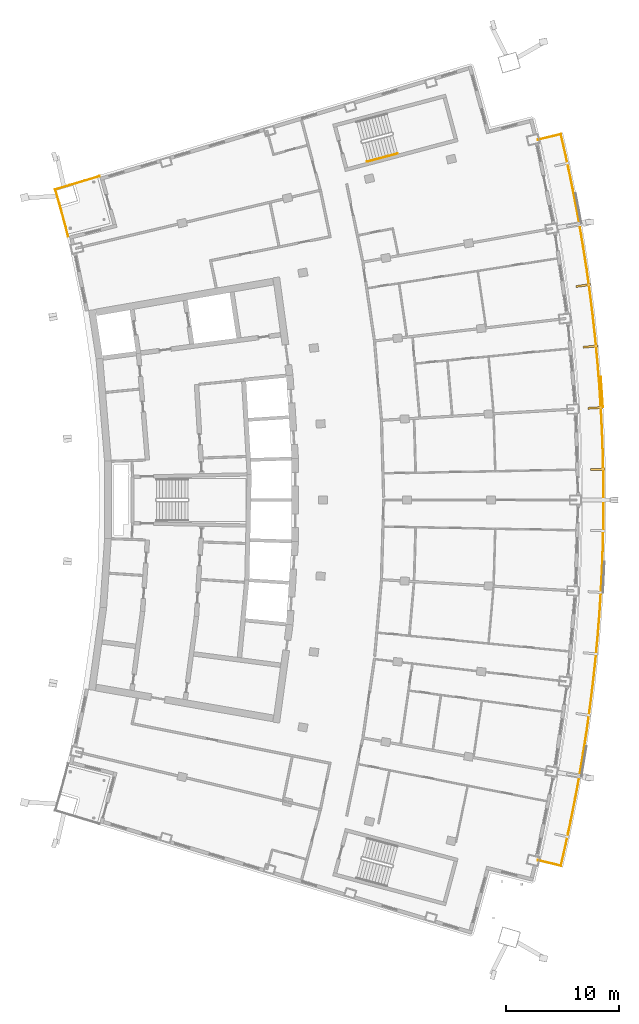
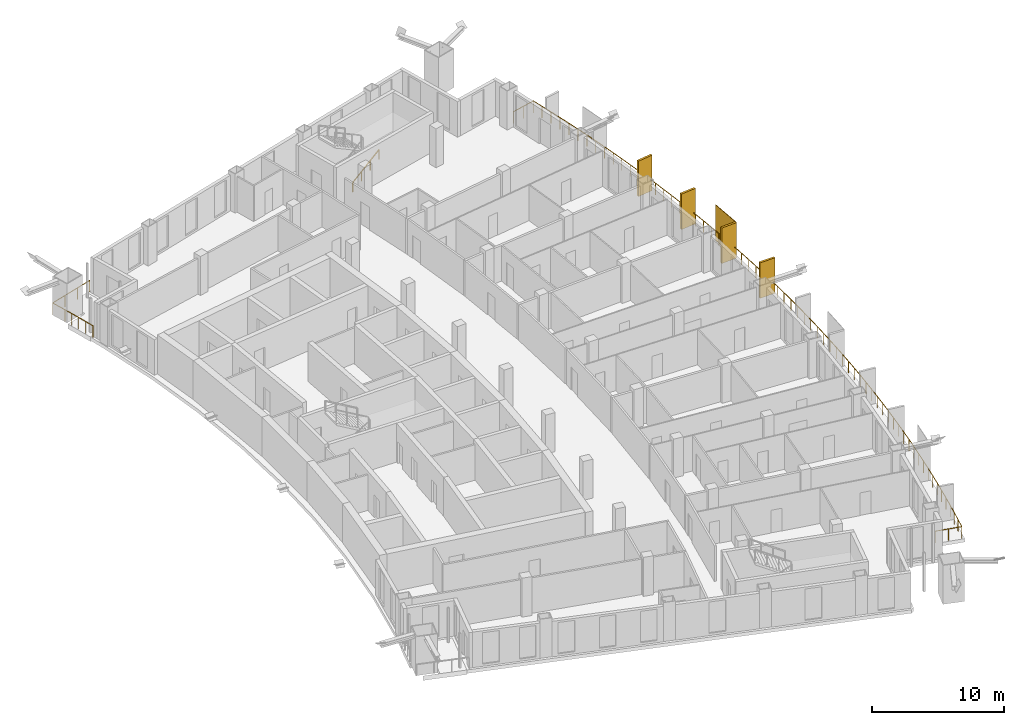
# One storey, part 20 of 21: 5 shading devices, 3 railings.
"""IFC4 building model written with IfcOpenShell, lengths in metres."""

import ifcopenshell
import ifcopenshell.guid

model = None  # the IFC model being written
_history = None  # IfcOwnerHistory: only IFC2X3 demands one
_inside = {}  # id of a spatial element -> (the spatial element, [elements in it])
_under = {}  # id of a project, library or spatial element -> (it, [spatial elements below it])
_declared = {}  # id of a project -> (the project, [libraries it declares])
_typed = {}  # id of a type object -> (the type object, [elements of that type])
_made_of = {}  # id of a material, layer set ... -> (it, [elements and type objects made of it])


def new_model(schema):
    """Start an empty IFC model of exactly this schema.

    Asked for "IFC4X3", IfcOpenShell would pick the latest addendum, in which some entities
    have other attributes; the version numbers below select the first issue.
    IFC2X3 requires an IfcOwnerHistory on every rooted entity: one is made here for all.
    """
    global model, _history
    if schema == "IFC4X3":
        model = ifcopenshell.file(schema_version=(4, 3, 0, 0))
    else:
        model = ifcopenshell.file(schema=schema)
    _inside.clear()
    _under.clear()
    _declared.clear()
    _typed.clear()
    _made_of.clear()
    _history = None
    if model.schema == "IFC2X3":
        org = make("IfcOrganization", Name="unknown")
        user = make(
            "IfcPersonAndOrganization",
            ThePerson=make("IfcPerson", FamilyName="unknown"),
            TheOrganization=org,
        )
        app = make(
            "IfcApplication",
            ApplicationDeveloper=org,
            Version="unknown",
            ApplicationFullName="unknown",
            ApplicationIdentifier="unknown",
        )
        _history = make(
            "IfcOwnerHistory",
            OwningUser=user,
            OwningApplication=app,
            ChangeAction="ADDED",
            CreationDate=0,
        )
    return model


def make(cls, **values):
    """One entity of the class cls with the attributes given. An attribute that is None is left unset."""
    return model.create_entity(
        cls, **{name: value for name, value in values.items() if value is not None}
    )


def rooted(cls, **values):
    """An entity with a GlobalId (a new one), such as an element, a storey or a relation."""
    return make(cls, GlobalId=ifcopenshell.guid.new(), OwnerHistory=_history, **values)


def si_unit(unit_type, name, prefix=None):
    """IfcSIUnit, for example si_unit("LENGTHUNIT", "METRE", prefix="MILLI")."""
    return make("IfcSIUnit", UnitType=unit_type, Prefix=prefix, Name=name)


def assignment(units):
    """IfcUnitAssignment: the units of a project."""
    return None if units is None else make("IfcUnitAssignment", Units=units)


def point(xyz):
    """IfcCartesianPoint."""
    return None if xyz is None else make("IfcCartesianPoint", Coordinates=xyz)


def direction(xyz):
    """IfcDirection."""
    return None if xyz is None else make("IfcDirection", DirectionRatios=xyz)


def frame(location, z_axis=None, x_axis=None):
    """IfcAxis2Placement3D, a coordinate frame: its origin and axes. An axis left out is left unset."""
    return make(
        "IfcAxis2Placement3D",
        Location=point(location),
        Axis=direction(z_axis),
        RefDirection=direction(x_axis),
    )


def frame_2d(location, x_axis=None):
    """IfcAxis2Placement2D, a coordinate frame in the plane: its origin and x axis."""
    return make(
        "IfcAxis2Placement2D", Location=point(location), RefDirection=direction(x_axis)
    )


def origin():
    """The frame at (0, 0, 0) with its axes left unset."""
    return frame((0.0, 0.0, 0.0))


def origin_2d():
    """The frame at (0, 0) in the plane with its x axis left unset."""
    return frame_2d((0.0, 0.0))


def place(relative_to, where):
    """IfcLocalPlacement: puts the frame where relative to a parent placement (None: the world)."""
    return make(
        "IfcLocalPlacement", PlacementRelTo=relative_to, RelativePlacement=where
    )


def context(
    kind, dimensions, precision=None, world=None, true_north=None, identifier=None
):
    """IfcGeometricRepresentationContext, for example the 3D "Model" context."""
    return make(
        "IfcGeometricRepresentationContext",
        ContextIdentifier=identifier,
        ContextType=kind,
        CoordinateSpaceDimension=dimensions,
        Precision=precision,
        WorldCoordinateSystem=world,
        TrueNorth=true_north,
    )


def subcontext(parent, identifier, kind, view, scale=None):
    """IfcGeometricRepresentationSubContext, for example "Body" below "Model"."""
    return make(
        "IfcGeometricRepresentationSubContext",
        ContextIdentifier=identifier,
        ContextType=kind,
        ParentContext=parent,
        TargetScale=scale,
        TargetView=view,
    )


def project(units=None, contexts=None):
    """IfcProject with its units and contexts."""
    return rooted(
        "IfcProject",
        Name="project",
        RepresentationContexts=contexts,
        UnitsInContext=assignment(units),
    )


def spatial(cls, under=None, at=None, **own):
    """A site, building, storey or space (cls), placed at a placement, below another one or the project."""
    s = rooted(cls, ObjectPlacement=at, **own)
    if under is not None:
        _under.setdefault(under.id(), (under, []))[1].append(s)
    return s


def profile(cls, at=None, kind="AREA", **sizes):
    """A parametric profile (cls). Its sizes go by their IFC names, for example OverallWidth=200.0."""
    return make(cls, ProfileType=kind, Position=at, **sizes)


def rectangle(**sizes):
    """IfcRectangleProfileDef."""
    return profile("IfcRectangleProfileDef", **sizes)


def extrude(swept, where, along, depth):
    """IfcExtrudedAreaSolid: the profile swept, set in the frame where, extruded along a direction by depth."""
    return make(
        "IfcExtrudedAreaSolid",
        SweptArea=swept,
        Position=where,
        ExtrudedDirection=direction(along),
        Depth=depth,
    )


def shape(context_of_items, identifier, shape_type, items):
    """IfcShapeRepresentation: the items that make up one representation, for example the "Body"."""
    return make(
        "IfcShapeRepresentation",
        ContextOfItems=context_of_items,
        RepresentationIdentifier=identifier,
        RepresentationType=shape_type,
        Items=items,
    )


def material(Name=None, Category=None):
    """IfcMaterial."""
    return make("IfcMaterial", Name=Name, Category=Category)


def layer(
    of_material, thickness, ventilated=None, Name=None, Category=None, Priority=None
):
    """IfcMaterialLayer: one layer of a wall or slab, of a material (None: an air gap)."""
    return make(
        "IfcMaterialLayer",
        Material=of_material,
        LayerThickness=thickness,
        IsVentilated=ventilated,
        Name=Name,
        Category=Category,
        Priority=Priority,
    )


def layer_set(layers, Name=None):
    """IfcMaterialLayerSet."""
    return make("IfcMaterialLayerSet", MaterialLayers=layers, LayerSetName=Name)


def made_of(thing, what):
    """Note that an element or type object is made of a material, layer set ...; save() writes the relation."""
    if what is not None:
        _made_of.setdefault(what.id(), (what, []))[1].append(thing)
    return thing


def type_object(cls, material=None, **own):
    """A type object (cls), such as IfcWallType, which elements share."""
    return made_of(rooted(cls, **own), material)


def element(
    cls,
    number,
    at=None,
    inside=None,
    cuts=None,
    type_object=None,
    material=None,
    context=None,
    identifier="Body",
    shape_type=None,
    held_by="IfcProductDefinitionShape",
    body=None,
    shapes=None,
    **own,
):
    """One element of the class cls, such as IfcWall. Its Tag is "e" and its number.

    at: its placement. inside: the storey or other place that contains it. cuts: it is an
    opening in that element (IfcRelVoidsElement). A single representation is given by context,
    identifier, shape_type and body (its items); several are given by shapes. held_by: the class
    of the entity that holds the representations. save() writes the other relations.
    """
    e = rooted(cls, Tag="e%d" % number, ObjectPlacement=at, **own)
    if body is not None:
        shapes = [shape(context, identifier, shape_type, body)]
    if shapes is not None:
        e.Representation = make(held_by, Representations=shapes)
    if inside is not None:
        _inside.setdefault(inside.id(), (inside, []))[1].append(e)
    if cuts is not None:
        rooted(
            "IfcRelVoidsElement", RelatingBuildingElement=cuts, RelatedOpeningElement=e
        )
    if type_object is not None:
        _typed.setdefault(type_object.id(), (type_object, []))[1].append(e)
    return made_of(e, material)


def aggregate(whole, parts):
    """IfcRelAggregates: a whole, such as a stair, and the parts it consists of."""
    return rooted("IfcRelAggregates", RelatingObject=whole, RelatedObjects=parts)


def save(model, path):
    """Write the relations noted so far, then the file.

    IfcRelAggregates (storeys below a building ...), IfcRelContainedInSpatialStructure (elements
    in a storey), IfcRelDefinesByType, IfcRelAssociatesMaterial and IfcRelDeclares: one each for
    every whole, place, type object, material and project.
    """
    for whole, parts in _under.values():
        aggregate(whole, parts)
    for where, things in _inside.values():
        rooted(
            "IfcRelContainedInSpatialStructure",
            RelatedElements=things,
            RelatingStructure=where,
        )
    for kind, things in _typed.values():
        rooted("IfcRelDefinesByType", RelatedObjects=things, RelatingType=kind)
    for what, things in _made_of.values():
        rooted("IfcRelAssociatesMaterial", RelatedObjects=things, RelatingMaterial=what)
    for by, libraries in _declared.values():
        rooted("IfcRelDeclares", RelatingContext=by, RelatedDefinitions=libraries)
    model.write(path)


model = new_model("IFC4")

# Units and contexts
model_context = context("Model", 3, precision=1e-05, world=origin(), true_north=direction((0.0, 1.0)))
body_context = subcontext(model_context, "Body", "Model", "MODEL_VIEW")
ifc_project = project(units=[si_unit("LENGTHUNIT", "METRE"), si_unit("AREAUNIT", "SQUARE_METRE"), si_unit("VOLUMEUNIT", "CUBIC_METRE"), si_unit("PLANEANGLEUNIT", "RADIAN"), si_unit("MASSUNIT", "GRAM", prefix="KILO")], contexts=[model_context])

# Site, building, storey
site_placement = place(None, origin())
site = spatial("IfcSite", under=ifc_project, at=site_placement, CompositionType="ELEMENT")
building_placement = place(site_placement, origin())
building = spatial("IfcBuilding", under=site, at=building_placement, Name="Alderwake Tower", CompositionType="ELEMENT")
storey_placement = place(building_placement, frame((0.0, 0.0, 207.199951171875)))
storey = spatial("IfcBuildingStorey", under=building, at=storey_placement, Name="L51", CompositionType="ELEMENT", Elevation=207.199951171875)

# Railings
ifc_material_1 = material(Name="Stainless steel 316 rail and posts", Category="steel")
railing_type_1 = type_object("IfcRailingType", Name="Balcony guard 1100", PredefinedType="GUARDRAIL", material=ifc_material_1)
railing_1_placement = place(storey_placement, frame((54.86669921875, 29.048583984375, 0.0)))
element("IfcRailing", 1, at=railing_1_placement, inside=storey, type_object=railing_type_1, Name="Guard BF03", PredefinedType="GUARDRAIL", context=body_context, shape_type="SweptSolid", body=[
    extrude(rectangle(XDim=0.048095703125, YDim=0.048095703125, at=origin_2d()), frame((0.0, 0.0, 1.076171875), z_axis=(0.973069996158, -0.230509831846, 0.0), x_axis=(0.230509831846, 0.973069996158, 0.0)), (0.0, 0.0, 1.0), 2.100341796875),
    extrude(rectangle(XDim=0.048095703125, YDim=0.048095703125, at=origin_2d()), frame((2.043701171875, -0.484130859375, 1.076171875), z_axis=(0.223653450953, 0.974668730327, 0.0), x_axis=(-0.974668730327, 0.223653450953, 0.0)), (0.0, 0.0, 1.0), 1.951904296875),
    extrude(rectangle(XDim=0.048095703125, YDim=0.048095703125, at=origin_2d()), frame((2.480224609375, 1.418212890625, 1.076171875), z_axis=(0.209894744365, 0.977723987784, 0.0), x_axis=(-0.977723987784, 0.209894744365, 0.0)), (0.0, 0.0, 1.0), 2.0517578125),
    extrude(rectangle(XDim=0.048095703125, YDim=0.048095703125, at=origin_2d()), frame((2.910888671875, 3.42431640625, 1.076171875), z_axis=(0.195727136621, 0.980658395156, 0.0), x_axis=(-0.980658395156, 0.195727136621, 0.0)), (0.0, 0.0, 1.0), 2.052001953125),
    extrude(rectangle(XDim=0.048095703125, YDim=0.048095703125, at=origin_2d()), frame((3.3125, 5.4365234375, 1.076171875), z_axis=(0.18121997098, 0.983442587098, 0.0), x_axis=(-0.983442587098, 0.18121997098, 0.0)), (0.0, 0.0, 1.0), 2.0517578125),
    extrude(rectangle(XDim=0.048095703125, YDim=0.048095703125, at=origin_2d()), frame((3.684326171875, 7.454345703125, 1.076171875), z_axis=(0.166925923017, 0.985969439803, 0.0), x_axis=(-0.985969439803, 0.166925923017, 0.0)), (0.0, 0.0, 1.0), 2.052001953125),
    extrude(rectangle(XDim=0.048095703125, YDim=0.048095703125, at=origin_2d()), frame((4.02685546875, 9.4775390625, 1.076171875), z_axis=(0.152539987711, 0.988297299475, 0.0), x_axis=(-0.988297299475, 0.152539987711, 0.0)), (0.0, 0.0, 1.0), 2.0517578125),
    extrude(rectangle(XDim=0.048095703125, YDim=0.048095703125, at=origin_2d()), frame((4.33984375, 11.50537109375, 1.076171875), z_axis=(0.138139033555, 0.990412846952, 0.0), x_axis=(-0.990412846952, 0.138139033555, 0.0)), (0.0, 0.0, 1.0), 2.052001953125),
    extrude(rectangle(XDim=0.048095703125, YDim=0.048095703125, at=origin_2d()), frame((4.623291015625, 13.53759765625, 1.076171875), z_axis=(0.123507517364, 0.992343636627, 0.0), x_axis=(-0.992343636627, 0.123507517364, 0.0)), (0.0, 0.0, 1.0), 2.0517578125),
    extrude(rectangle(XDim=0.048095703125, YDim=0.048095703125, at=origin_2d()), frame((4.876708984375, 15.57373046875, 1.076171875), z_axis=(0.109229967975, 0.994016505948, 0.0), x_axis=(-0.994016505948, 0.109229967975, 0.0)), (0.0, 0.0, 1.0), 2.0517578125),
    extrude(rectangle(XDim=0.048095703125, YDim=0.048095703125, at=origin_2d()), frame((5.100830078125, 17.61328125, 1.076171875), z_axis=(0.094590111319, 0.995516303654, 0.0), x_axis=(-0.995516303654, 0.094590111319, 0.0)), (0.0, 0.0, 1.0), 2.052001953125),
    extrude(rectangle(XDim=0.048095703125, YDim=0.048095703125, at=origin_2d()), frame((5.294921875, 19.656005859375, 1.076171875), z_axis=(0.080199229738, 0.996778853884, 0.0), x_axis=(-0.996778853884, 0.080199229738, 0.0)), (0.0, 0.0, 1.0), 2.0517578125),
    extrude(rectangle(XDim=0.048095703125, YDim=0.048095703125, at=origin_2d()), frame((5.45947265625, 21.701171875, 1.076171875), z_axis=(0.065563376145, 0.997848407178, 0.0), x_axis=(-0.997848407178, 0.065563376145, 0.0)), (0.0, 0.0, 1.0), 2.0517578125),
    extrude(rectangle(XDim=0.048095703125, YDim=0.048095703125, at=origin_2d()), frame((5.593994140625, 23.74853515625, 1.076171875), z_axis=(0.051047382786, 0.99869623245, 0.0), x_axis=(-0.99869623245, 0.051047382786, 0.0)), (0.0, 0.0, 1.0), 2.0517578125),
    extrude(rectangle(XDim=0.048095703125, YDim=0.048095703125, at=origin_2d()), frame((5.69873046875, 25.797607421875, 1.076171875), z_axis=(0.036408752989, 0.999336981556, 0.0), x_axis=(-0.999336981556, 0.036408752989, 0.0)), (0.0, 0.0, 1.0), 2.052001953125),
    extrude(rectangle(XDim=0.048095703125, YDim=0.048095703125, at=origin_2d()), frame((5.7734375, 27.84814453125, 1.076171875), z_axis=(0.021891693926, 0.999760348152, 0.0), x_axis=(-0.999760348152, 0.021891693926, 0.0)), (0.0, 0.0, 1.0), 2.052001953125),
    extrude(rectangle(XDim=0.048095703125, YDim=0.048095703125, at=origin_2d()), frame((5.818359375, 29.899658203125, 1.076171875), z_axis=(0.00725825716, 0.999973658505, 0.0), x_axis=(-0.999973658505, 0.00725825716, 0.0)), (0.0, 0.0, 1.0), 2.0517578125),
    extrude(rectangle(XDim=0.048095703125, YDim=0.048095703125, at=origin_2d()), frame((5.833251953125, 31.951416015625, 1.076171875), z_axis=(-0.00725825716, 0.999973658505, 0.0), x_axis=(-0.999973658505, -0.00725825716, 0.0)), (0.0, 0.0, 1.0), 2.0517578125),
    extrude(rectangle(XDim=0.048095703125, YDim=0.048095703125, at=origin_2d()), frame((5.818359375, 34.003173828125, 1.076171875), z_axis=(-0.021891693926, 0.999760348152, 0.0), x_axis=(-0.999760348152, -0.021891693926, 0.0)), (0.0, 0.0, 1.0), 2.052001953125),
    extrude(rectangle(XDim=0.048095703125, YDim=0.048095703125, at=origin_2d()), frame((5.7734375, 36.0546875, 1.076171875), z_axis=(-0.036408752989, 0.999336981556, 0.0), x_axis=(-0.999336981556, -0.036408752989, 0.0)), (0.0, 0.0, 1.0), 2.052001953125),
    extrude(rectangle(XDim=0.048095703125, YDim=0.048095703125, at=origin_2d()), frame((5.69873046875, 38.105224609375, 1.076171875), z_axis=(-0.051047382786, 0.99869623245, 0.0), x_axis=(-0.99869623245, -0.051047382786, 0.0)), (0.0, 0.0, 1.0), 2.0517578125),
    extrude(rectangle(XDim=0.048095703125, YDim=0.048095703125, at=origin_2d()), frame((5.593994140625, 40.154296875, 1.076171875), z_axis=(-0.065563376145, 0.997848407178, 0.0), x_axis=(-0.997848407178, -0.065563376145, 0.0)), (0.0, 0.0, 1.0), 2.0517578125),
    extrude(rectangle(XDim=0.048095703125, YDim=0.048095703125, at=origin_2d()), frame((5.45947265625, 42.20166015625, 1.076171875), z_axis=(-0.080199229738, 0.996778853884, 0.0), x_axis=(-0.996778853884, -0.080199229738, 0.0)), (0.0, 0.0, 1.0), 2.0517578125),
    extrude(rectangle(XDim=0.048095703125, YDim=0.048095703125, at=origin_2d()), frame((5.294921875, 44.246826171875, 1.076171875), z_axis=(-0.094590111319, 0.995516303654, 0.0), x_axis=(-0.995516303654, -0.094590111319, 0.0)), (0.0, 0.0, 1.0), 2.052001953125),
    extrude(rectangle(XDim=0.048095703125, YDim=0.048095703125, at=origin_2d()), frame((5.100830078125, 46.28955078125, 1.076171875), z_axis=(-0.109229967975, 0.994016505948, 0.0), x_axis=(-0.994016505948, -0.109229967975, 0.0)), (0.0, 0.0, 1.0), 2.0517578125),
    extrude(rectangle(XDim=0.048095703125, YDim=0.048095703125, at=origin_2d()), frame((4.876708984375, 48.3291015625, 1.076171875), z_axis=(-0.123507517364, 0.992343636627, 0.0), x_axis=(-0.992343636627, -0.123507517364, 0.0)), (0.0, 0.0, 1.0), 2.0517578125),
    extrude(rectangle(XDim=0.048095703125, YDim=0.048095703125, at=origin_2d()), frame((4.623291015625, 50.365234375, 1.076171875), z_axis=(-0.138139033555, 0.990412846952, 0.0), x_axis=(-0.990412846952, -0.138139033555, 0.0)), (0.0, 0.0, 1.0), 2.052001953125),
    extrude(rectangle(XDim=0.048095703125, YDim=0.048095703125, at=origin_2d()), frame((4.33984375, 52.3974609375, 1.076171875), z_axis=(-0.152539987711, 0.988297299475, 0.0), x_axis=(-0.988297299475, -0.152539987711, 0.0)), (0.0, 0.0, 1.0), 2.0517578125),
    extrude(rectangle(XDim=0.048095703125, YDim=0.048095703125, at=origin_2d()), frame((4.02685546875, 54.42529296875, 1.076171875), z_axis=(-0.166925923017, 0.985969439803, 0.0), x_axis=(-0.985969439803, -0.166925923017, 0.0)), (0.0, 0.0, 1.0), 2.052001953125),
    extrude(rectangle(XDim=0.048095703125, YDim=0.048095703125, at=origin_2d()), frame((3.684326171875, 56.448486328125, 1.076171875), z_axis=(-0.18121997098, 0.983442587098, 0.0), x_axis=(-0.983442587098, -0.18121997098, 0.0)), (0.0, 0.0, 1.0), 2.0517578125),
    extrude(rectangle(XDim=0.048095703125, YDim=0.048095703125, at=origin_2d()), frame((3.3125, 58.46630859375, 1.076171875), z_axis=(-0.195727136621, 0.980658395156, 0.0), x_axis=(-0.980658395156, -0.195727136621, 0.0)), (0.0, 0.0, 1.0), 2.052001953125),
    extrude(rectangle(XDim=0.048095703125, YDim=0.048095703125, at=origin_2d()), frame((2.910888671875, 60.478515625, 1.076171875), z_axis=(-0.209894744365, 0.977723987784, 0.0), x_axis=(-0.977723987784, -0.209894744365, 0.0)), (0.0, 0.0, 1.0), 2.0517578125),
    extrude(rectangle(XDim=0.048095703125, YDim=0.048095703125, at=origin_2d()), frame((2.480224609375, 62.484619140625, 1.076171875), z_axis=(-0.223653450953, 0.974668730327, 0.0), x_axis=(-0.974668730327, -0.223653450953, 0.0)), (0.0, 0.0, 1.0), 1.951904296875),
    extrude(rectangle(XDim=0.048095703125, YDim=0.048095703125, at=origin_2d()), frame((2.043701171875, 64.386962890625, 1.076171875), z_axis=(-0.973069996158, -0.230509831846, 0.0), x_axis=(0.230509831846, -0.973069996158, 0.0)), (0.0, 0.0, 1.0), 2.100341796875),
    extrude(rectangle(XDim=0.0419921875, YDim=0.0419921875, at=origin_2d()), frame((0.0, 0.0, 0.0), z_axis=(0.0, 0.0, 1.0), x_axis=(0.973069996158, -0.230509831846, 0.0)), (0.0, 0.0, 1.0), 1.052001953125),
    extrude(rectangle(XDim=0.0419921875, YDim=0.0419921875, at=origin_2d()), frame((1.02197265625, -0.2421875, 0.0), z_axis=(0.0, 0.0, 1.0), x_axis=(0.973069996158, -0.230509831846, 0.0)), (0.0, 0.0, 1.0), 1.052001953125),
    extrude(rectangle(XDim=0.0419921875, YDim=0.0419921875, at=origin_2d()), frame((2.043701171875, -0.484130859375, 0.0), z_axis=(0.0, 0.0, 1.0), x_axis=(0.223653450953, 0.974668730327, 0.0)), (0.0, 0.0, 1.0), 1.052001953125),
    extrude(rectangle(XDim=0.0419921875, YDim=0.0419921875, at=origin_2d()), frame((2.261962890625, 0.467041015625, 0.0), z_axis=(0.0, 0.0, 1.0), x_axis=(0.223653450953, 0.974668730327, 0.0)), (0.0, 0.0, 1.0), 1.052001953125),
    extrude(rectangle(XDim=0.0419921875, YDim=0.0419921875, at=origin_2d()), frame((2.480224609375, 1.418212890625, 0.0), z_axis=(0.0, 0.0, 1.0), x_axis=(0.209894744365, 0.977723987784, 0.0)), (0.0, 0.0, 1.0), 1.052001953125),
    extrude(rectangle(XDim=0.0419921875, YDim=0.0419921875, at=origin_2d()), frame((2.695556640625, 2.42138671875, 0.0), z_axis=(0.0, 0.0, 1.0), x_axis=(0.209894744365, 0.977723987784, 0.0)), (0.0, 0.0, 1.0), 1.052001953125),
    extrude(rectangle(XDim=0.0419921875, YDim=0.0419921875, at=origin_2d()), frame((2.910888671875, 3.42431640625, 0.0), z_axis=(0.0, 0.0, 1.0), x_axis=(0.195727136621, 0.980658395156, 0.0)), (0.0, 0.0, 1.0), 1.052001953125),
    extrude(rectangle(XDim=0.0419921875, YDim=0.0419921875, at=origin_2d()), frame((3.11181640625, 4.430419921875, 0.0), z_axis=(0.0, 0.0, 1.0), x_axis=(0.195727136621, 0.980658395156, 0.0)), (0.0, 0.0, 1.0), 1.052001953125),
    extrude(rectangle(XDim=0.0419921875, YDim=0.0419921875, at=origin_2d()), frame((3.3125, 5.4365234375, 0.0), z_axis=(0.0, 0.0, 1.0), x_axis=(0.18121997098, 0.983442587098, 0.0)), (0.0, 0.0, 1.0), 1.052001953125),
    extrude(rectangle(XDim=0.0419921875, YDim=0.0419921875, at=origin_2d()), frame((3.49853515625, 6.4453125, 0.0), z_axis=(0.0, 0.0, 1.0), x_axis=(0.18121997098, 0.983442587098, 0.0)), (0.0, 0.0, 1.0), 1.052001953125),
    extrude(rectangle(XDim=0.0419921875, YDim=0.0419921875, at=origin_2d()), frame((3.684326171875, 7.454345703125, 0.0), z_axis=(0.0, 0.0, 1.0), x_axis=(0.166925923017, 0.985969439803, 0.0)), (0.0, 0.0, 1.0), 1.052001953125),
    extrude(rectangle(XDim=0.0419921875, YDim=0.0419921875, at=origin_2d()), frame((3.85546875, 8.4658203125, 0.0), z_axis=(0.0, 0.0, 1.0), x_axis=(0.166925923017, 0.985969439803, 0.0)), (0.0, 0.0, 1.0), 1.052001953125),
    extrude(rectangle(XDim=0.0419921875, YDim=0.0419921875, at=origin_2d()), frame((4.02685546875, 9.4775390625, 0.0), z_axis=(0.0, 0.0, 1.0), x_axis=(0.152539987711, 0.988297299475, 0.0)), (0.0, 0.0, 1.0), 1.052001953125),
    extrude(rectangle(XDim=0.0419921875, YDim=0.0419921875, at=origin_2d()), frame((4.183349609375, 10.491455078125, 0.0), z_axis=(0.0, 0.0, 1.0), x_axis=(0.152539987711, 0.988297299475, 0.0)), (0.0, 0.0, 1.0), 1.052001953125),
    extrude(rectangle(XDim=0.0419921875, YDim=0.0419921875, at=origin_2d()), frame((4.33984375, 11.50537109375, 0.0), z_axis=(0.0, 0.0, 1.0), x_axis=(0.138139033555, 0.990412846952, 0.0)), (0.0, 0.0, 1.0), 1.052001953125),
    extrude(rectangle(XDim=0.0419921875, YDim=0.0419921875, at=origin_2d()), frame((4.4814453125, 12.521484375, 0.0), z_axis=(0.0, 0.0, 1.0), x_axis=(0.138139033555, 0.990412846952, 0.0)), (0.0, 0.0, 1.0), 1.052001953125),
    extrude(rectangle(XDim=0.0419921875, YDim=0.0419921875, at=origin_2d()), frame((4.623291015625, 13.53759765625, 0.0), z_axis=(0.0, 0.0, 1.0), x_axis=(0.123507517364, 0.992343636627, 0.0)), (0.0, 0.0, 1.0), 1.052001953125),
    extrude(rectangle(XDim=0.0419921875, YDim=0.0419921875, at=origin_2d()), frame((4.75, 14.5556640625, 0.0), z_axis=(0.0, 0.0, 1.0), x_axis=(0.123507517364, 0.992343636627, 0.0)), (0.0, 0.0, 1.0), 1.052001953125),
    extrude(rectangle(XDim=0.0419921875, YDim=0.0419921875, at=origin_2d()), frame((4.876708984375, 15.57373046875, 0.0), z_axis=(0.0, 0.0, 1.0), x_axis=(0.109229967975, 0.994016505948, 0.0)), (0.0, 0.0, 1.0), 1.052001953125),
    extrude(rectangle(XDim=0.0419921875, YDim=0.0419921875, at=origin_2d()), frame((4.98876953125, 16.593505859375, 0.0), z_axis=(0.0, 0.0, 1.0), x_axis=(0.109229967975, 0.994016505948, 0.0)), (0.0, 0.0, 1.0), 1.052001953125),
    extrude(rectangle(XDim=0.0419921875, YDim=0.0419921875, at=origin_2d()), frame((5.100830078125, 17.61328125, 0.0), z_axis=(0.0, 0.0, 1.0), x_axis=(0.094590111319, 0.995516303654, 0.0)), (0.0, 0.0, 1.0), 1.052001953125),
    extrude(rectangle(XDim=0.0419921875, YDim=0.0419921875, at=origin_2d()), frame((5.19775390625, 18.634765625, 0.0), z_axis=(0.0, 0.0, 1.0), x_axis=(0.094590111319, 0.995516303654, 0.0)), (0.0, 0.0, 1.0), 1.052001953125),
    extrude(rectangle(XDim=0.0419921875, YDim=0.0419921875, at=origin_2d()), frame((5.294921875, 19.656005859375, 0.0), z_axis=(0.0, 0.0, 1.0), x_axis=(0.080199229738, 0.996778853884, 0.0)), (0.0, 0.0, 1.0), 1.052001953125),
    extrude(rectangle(XDim=0.0419921875, YDim=0.0419921875, at=origin_2d()), frame((5.377197265625, 20.6787109375, 0.0), z_axis=(0.0, 0.0, 1.0), x_axis=(0.080199229738, 0.996778853884, 0.0)), (0.0, 0.0, 1.0), 1.052001953125),
    extrude(rectangle(XDim=0.0419921875, YDim=0.0419921875, at=origin_2d()), frame((5.45947265625, 21.701171875, 0.0), z_axis=(0.0, 0.0, 1.0), x_axis=(0.065563376145, 0.997848407178, 0.0)), (0.0, 0.0, 1.0), 1.052001953125),
    extrude(rectangle(XDim=0.0419921875, YDim=0.0419921875, at=origin_2d()), frame((5.52685546875, 22.724853515625, 0.0), z_axis=(0.0, 0.0, 1.0), x_axis=(0.065563376145, 0.997848407178, 0.0)), (0.0, 0.0, 1.0), 1.052001953125),
    extrude(rectangle(XDim=0.0419921875, YDim=0.0419921875, at=origin_2d()), frame((5.593994140625, 23.74853515625, 0.0), z_axis=(0.0, 0.0, 1.0), x_axis=(0.051047382786, 0.99869623245, 0.0)), (0.0, 0.0, 1.0), 1.052001953125),
    extrude(rectangle(XDim=0.0419921875, YDim=0.0419921875, at=origin_2d()), frame((5.646484375, 24.77294921875, 0.0), z_axis=(0.0, 0.0, 1.0), x_axis=(0.051047382786, 0.99869623245, 0.0)), (0.0, 0.0, 1.0), 1.052001953125),
    extrude(rectangle(XDim=0.0419921875, YDim=0.0419921875, at=origin_2d()), frame((5.69873046875, 25.797607421875, 0.0), z_axis=(0.0, 0.0, 1.0), x_axis=(0.036408752989, 0.999336981556, 0.0)), (0.0, 0.0, 1.0), 1.052001953125),
    extrude(rectangle(XDim=0.0419921875, YDim=0.0419921875, at=origin_2d()), frame((5.736083984375, 26.82275390625, 0.0), z_axis=(0.0, 0.0, 1.0), x_axis=(0.036408752989, 0.999336981556, 0.0)), (0.0, 0.0, 1.0), 1.052001953125),
    extrude(rectangle(XDim=0.0419921875, YDim=0.0419921875, at=origin_2d()), frame((5.7734375, 27.84814453125, 0.0), z_axis=(0.0, 0.0, 1.0), x_axis=(0.021891693926, 0.999760348152, 0.0)), (0.0, 0.0, 1.0), 1.052001953125),
    extrude(rectangle(XDim=0.0419921875, YDim=0.0419921875, at=origin_2d()), frame((5.7958984375, 28.8740234375, 0.0), z_axis=(0.0, 0.0, 1.0), x_axis=(0.021891693926, 0.999760348152, 0.0)), (0.0, 0.0, 1.0), 1.052001953125),
    extrude(rectangle(XDim=0.0419921875, YDim=0.0419921875, at=origin_2d()), frame((5.818359375, 29.899658203125, 0.0), z_axis=(0.0, 0.0, 1.0), x_axis=(0.00725825716, 0.999973658505, 0.0)), (0.0, 0.0, 1.0), 1.052001953125),
    extrude(rectangle(XDim=0.0419921875, YDim=0.0419921875, at=origin_2d()), frame((5.82568359375, 30.925537109375, 0.0), z_axis=(0.0, 0.0, 1.0), x_axis=(0.00725825716, 0.999973658505, 0.0)), (0.0, 0.0, 1.0), 1.052001953125),
    extrude(rectangle(XDim=0.0419921875, YDim=0.0419921875, at=origin_2d()), frame((5.833251953125, 31.951416015625, 0.0), z_axis=(0.0, 0.0, 1.0), x_axis=(-0.00725825716, 0.999973658505, 0.0)), (0.0, 0.0, 1.0), 1.052001953125),
    extrude(rectangle(XDim=0.0419921875, YDim=0.0419921875, at=origin_2d()), frame((5.82568359375, 32.977294921875, 0.0), z_axis=(0.0, 0.0, 1.0), x_axis=(-0.00725825716, 0.999973658505, 0.0)), (0.0, 0.0, 1.0), 1.052001953125),
    extrude(rectangle(XDim=0.0419921875, YDim=0.0419921875, at=origin_2d()), frame((5.818359375, 34.003173828125, 0.0), z_axis=(0.0, 0.0, 1.0), x_axis=(-0.021891693926, 0.999760348152, 0.0)), (0.0, 0.0, 1.0), 1.052001953125),
    extrude(rectangle(XDim=0.0419921875, YDim=0.0419921875, at=origin_2d()), frame((5.7958984375, 35.02880859375, 0.0), z_axis=(0.0, 0.0, 1.0), x_axis=(-0.021891693926, 0.999760348152, 0.0)), (0.0, 0.0, 1.0), 1.052001953125),
    extrude(rectangle(XDim=0.0419921875, YDim=0.0419921875, at=origin_2d()), frame((5.7734375, 36.0546875, 0.0), z_axis=(0.0, 0.0, 1.0), x_axis=(-0.036408752989, 0.999336981556, 0.0)), (0.0, 0.0, 1.0), 1.052001953125),
    extrude(rectangle(XDim=0.0419921875, YDim=0.0419921875, at=origin_2d()), frame((5.736083984375, 37.080078125, 0.0), z_axis=(0.0, 0.0, 1.0), x_axis=(-0.036408752989, 0.999336981556, 0.0)), (0.0, 0.0, 1.0), 1.052001953125),
    extrude(rectangle(XDim=0.0419921875, YDim=0.0419921875, at=origin_2d()), frame((5.69873046875, 38.105224609375, 0.0), z_axis=(0.0, 0.0, 1.0), x_axis=(-0.051047382786, 0.99869623245, 0.0)), (0.0, 0.0, 1.0), 1.052001953125),
    extrude(rectangle(XDim=0.0419921875, YDim=0.0419921875, at=origin_2d()), frame((5.646484375, 39.1298828125, 0.0), z_axis=(0.0, 0.0, 1.0), x_axis=(-0.051047382786, 0.99869623245, 0.0)), (0.0, 0.0, 1.0), 1.052001953125),
    extrude(rectangle(XDim=0.0419921875, YDim=0.0419921875, at=origin_2d()), frame((5.593994140625, 40.154296875, 0.0), z_axis=(0.0, 0.0, 1.0), x_axis=(-0.065563376145, 0.997848407178, 0.0)), (0.0, 0.0, 1.0), 1.052001953125),
    extrude(rectangle(XDim=0.0419921875, YDim=0.0419921875, at=origin_2d()), frame((5.52685546875, 41.177978515625, 0.0), z_axis=(0.0, 0.0, 1.0), x_axis=(-0.065563376145, 0.997848407178, 0.0)), (0.0, 0.0, 1.0), 1.052001953125),
    extrude(rectangle(XDim=0.0419921875, YDim=0.0419921875, at=origin_2d()), frame((5.45947265625, 42.20166015625, 0.0), z_axis=(0.0, 0.0, 1.0), x_axis=(-0.080199229738, 0.996778853884, 0.0)), (0.0, 0.0, 1.0), 1.052001953125),
    extrude(rectangle(XDim=0.0419921875, YDim=0.0419921875, at=origin_2d()), frame((5.377197265625, 43.22412109375, 0.0), z_axis=(0.0, 0.0, 1.0), x_axis=(-0.080199229738, 0.996778853884, 0.0)), (0.0, 0.0, 1.0), 1.052001953125),
    extrude(rectangle(XDim=0.0419921875, YDim=0.0419921875, at=origin_2d()), frame((5.294921875, 44.246826171875, 0.0), z_axis=(0.0, 0.0, 1.0), x_axis=(-0.094590111319, 0.995516303654, 0.0)), (0.0, 0.0, 1.0), 1.052001953125),
    extrude(rectangle(XDim=0.0419921875, YDim=0.0419921875, at=origin_2d()), frame((5.19775390625, 45.26806640625, 0.0), z_axis=(0.0, 0.0, 1.0), x_axis=(-0.094590111319, 0.995516303654, 0.0)), (0.0, 0.0, 1.0), 1.052001953125),
    extrude(rectangle(XDim=0.0419921875, YDim=0.0419921875, at=origin_2d()), frame((5.100830078125, 46.28955078125, 0.0), z_axis=(0.0, 0.0, 1.0), x_axis=(-0.109229967975, 0.994016505948, 0.0)), (0.0, 0.0, 1.0), 1.052001953125),
    extrude(rectangle(XDim=0.0419921875, YDim=0.0419921875, at=origin_2d()), frame((4.98876953125, 47.309326171875, 0.0), z_axis=(0.0, 0.0, 1.0), x_axis=(-0.109229967975, 0.994016505948, 0.0)), (0.0, 0.0, 1.0), 1.052001953125),
    extrude(rectangle(XDim=0.0419921875, YDim=0.0419921875, at=origin_2d()), frame((4.876708984375, 48.3291015625, 0.0), z_axis=(0.0, 0.0, 1.0), x_axis=(-0.123507517364, 0.992343636627, 0.0)), (0.0, 0.0, 1.0), 1.052001953125),
    extrude(rectangle(XDim=0.0419921875, YDim=0.0419921875, at=origin_2d()), frame((4.75, 49.34716796875, 0.0), z_axis=(0.0, 0.0, 1.0), x_axis=(-0.123507517364, 0.992343636627, 0.0)), (0.0, 0.0, 1.0), 1.052001953125),
    extrude(rectangle(XDim=0.0419921875, YDim=0.0419921875, at=origin_2d()), frame((4.623291015625, 50.365234375, 0.0), z_axis=(0.0, 0.0, 1.0), x_axis=(-0.138139033555, 0.990412846952, 0.0)), (0.0, 0.0, 1.0), 1.052001953125),
    extrude(rectangle(XDim=0.0419921875, YDim=0.0419921875, at=origin_2d()), frame((4.4814453125, 51.38134765625, 0.0), z_axis=(0.0, 0.0, 1.0), x_axis=(-0.138139033555, 0.990412846952, 0.0)), (0.0, 0.0, 1.0), 1.052001953125),
    extrude(rectangle(XDim=0.0419921875, YDim=0.0419921875, at=origin_2d()), frame((4.33984375, 52.3974609375, 0.0), z_axis=(0.0, 0.0, 1.0), x_axis=(-0.152539987711, 0.988297299475, 0.0)), (0.0, 0.0, 1.0), 1.052001953125),
    extrude(rectangle(XDim=0.0419921875, YDim=0.0419921875, at=origin_2d()), frame((4.183349609375, 53.411376953125, 0.0), z_axis=(0.0, 0.0, 1.0), x_axis=(-0.152539987711, 0.988297299475, 0.0)), (0.0, 0.0, 1.0), 1.052001953125),
    extrude(rectangle(XDim=0.0419921875, YDim=0.0419921875, at=origin_2d()), frame((4.02685546875, 54.42529296875, 0.0), z_axis=(0.0, 0.0, 1.0), x_axis=(-0.166925923017, 0.985969439803, 0.0)), (0.0, 0.0, 1.0), 1.052001953125),
    extrude(rectangle(XDim=0.0419921875, YDim=0.0419921875, at=origin_2d()), frame((3.85546875, 55.43701171875, 0.0), z_axis=(0.0, 0.0, 1.0), x_axis=(-0.166925923017, 0.985969439803, 0.0)), (0.0, 0.0, 1.0), 1.052001953125),
    extrude(rectangle(XDim=0.0419921875, YDim=0.0419921875, at=origin_2d()), frame((3.684326171875, 56.448486328125, 0.0), z_axis=(0.0, 0.0, 1.0), x_axis=(-0.18121997098, 0.983442587098, 0.0)), (0.0, 0.0, 1.0), 1.052001953125),
    extrude(rectangle(XDim=0.0419921875, YDim=0.0419921875, at=origin_2d()), frame((3.49853515625, 57.45751953125, 0.0), z_axis=(0.0, 0.0, 1.0), x_axis=(-0.18121997098, 0.983442587098, 0.0)), (0.0, 0.0, 1.0), 1.052001953125),
    extrude(rectangle(XDim=0.0419921875, YDim=0.0419921875, at=origin_2d()), frame((3.3125, 58.46630859375, 0.0), z_axis=(0.0, 0.0, 1.0), x_axis=(-0.195727136621, 0.980658395156, 0.0)), (0.0, 0.0, 1.0), 1.052001953125),
    extrude(rectangle(XDim=0.0419921875, YDim=0.0419921875, at=origin_2d()), frame((3.11181640625, 59.472412109375, 0.0), z_axis=(0.0, 0.0, 1.0), x_axis=(-0.195727136621, 0.980658395156, 0.0)), (0.0, 0.0, 1.0), 1.052001953125),
    extrude(rectangle(XDim=0.0419921875, YDim=0.0419921875, at=origin_2d()), frame((2.910888671875, 60.478515625, 0.0), z_axis=(0.0, 0.0, 1.0), x_axis=(-0.209894744365, 0.977723987784, 0.0)), (0.0, 0.0, 1.0), 1.052001953125),
    extrude(rectangle(XDim=0.0419921875, YDim=0.0419921875, at=origin_2d()), frame((2.695556640625, 61.4814453125, 0.0), z_axis=(0.0, 0.0, 1.0), x_axis=(-0.209894744365, 0.977723987784, 0.0)), (0.0, 0.0, 1.0), 1.052001953125),
    extrude(rectangle(XDim=0.0419921875, YDim=0.0419921875, at=origin_2d()), frame((2.480224609375, 62.484619140625, 0.0), z_axis=(0.0, 0.0, 1.0), x_axis=(-0.223653450953, 0.974668730327, 0.0)), (0.0, 0.0, 1.0), 1.052001953125),
    extrude(rectangle(XDim=0.0419921875, YDim=0.0419921875, at=origin_2d()), frame((2.261962890625, 63.435791015625, 0.0), z_axis=(0.0, 0.0, 1.0), x_axis=(-0.223653450953, 0.974668730327, 0.0)), (0.0, 0.0, 1.0), 1.052001953125),
    extrude(rectangle(XDim=0.0419921875, YDim=0.0419921875, at=origin_2d()), frame((2.043701171875, 64.386962890625, 0.0), z_axis=(0.0, 0.0, 1.0), x_axis=(-0.973069996158, -0.230509831846, 0.0)), (0.0, 0.0, 1.0), 1.052001953125),
    extrude(rectangle(XDim=0.0419921875, YDim=0.0419921875, at=origin_2d()), frame((1.02197265625, 64.14501953125, 0.0), z_axis=(0.0, 0.0, 1.0), x_axis=(-0.973069996158, -0.230509831846, 0.0)), (0.0, 0.0, 1.0), 1.052001953125),
    extrude(rectangle(XDim=0.0419921875, YDim=0.0419921875, at=origin_2d()), frame((0.0, 63.90283203125, 0.0), z_axis=(0.0, 0.0, 1.0), x_axis=(-0.973069996158, -0.230509831846, 0.0)), (0.0, 0.0, 1.0), 1.052001953125),
])
railing_2_placement = place(storey_placement, frame((13.210693359375, 84.387451171875, 0.0)))
element("IfcRailing", 2, at=railing_2_placement, inside=storey, type_object=railing_type_1, Name="Guard terrace RN", PredefinedType="GUARDRAIL", context=body_context, shape_type="SweptSolid", body=[
    extrude(rectangle(XDim=0.048095703125, YDim=0.048095703125, at=origin_2d()), frame((0.0, 0.0, 1.076171875), z_axis=(-0.251385381433, 0.967887075026, 0.0), x_axis=(-0.967887075026, -0.251385381433, 0.0)), (0.0, 0.0, 1.0), 1.6015625),
    extrude(rectangle(XDim=0.048095703125, YDim=0.048095703125, at=origin_2d()), frame((-0.402587890625, 1.550048828125, 1.076171875), z_axis=(-0.266520638672, 0.963829211615, 0.0), x_axis=(-0.963829211615, -0.266520638672, 0.0)), (0.0, 0.0, 1.0), 1.401611328125),
    extrude(rectangle(XDim=0.048095703125, YDim=0.048095703125, at=origin_2d()), frame((-0.776123046875, 2.90087890625, 1.076171875), z_axis=(-0.280093650878, 0.959972680204, 0.0), x_axis=(-0.959972680204, -0.280093650878, 0.0)), (0.0, 0.0, 1.0), 1.30126953125),
    extrude(rectangle(XDim=0.048095703125, YDim=0.048095703125, at=origin_2d()), frame((-1.140625, 4.150146484375, 1.076171875), z_axis=(0.958066871889, 0.286544706789, 0.0), x_axis=(-0.286544706789, 0.958066871889, 0.0)), (0.0, 0.0, 1.0), 4.099853515625),
    extrude(rectangle(XDim=0.0419921875, YDim=0.0419921875, at=origin_2d()), frame((0.0, 0.0, 0.0), z_axis=(0.0, 0.0, 1.0), x_axis=(-0.251385381433, 0.967887075026, 0.0)), (0.0, 0.0, 1.0), 1.052001953125),
    extrude(rectangle(XDim=0.0419921875, YDim=0.0419921875, at=origin_2d()), frame((-0.201171875, 0.77490234375, 0.0), z_axis=(0.0, 0.0, 1.0), x_axis=(-0.251385381433, 0.967887075026, 0.0)), (0.0, 0.0, 1.0), 1.052001953125),
    extrude(rectangle(XDim=0.0419921875, YDim=0.0419921875, at=origin_2d()), frame((-0.402587890625, 1.550048828125, 0.0), z_axis=(0.0, 0.0, 1.0), x_axis=(-0.266520638672, 0.963829211615, 0.0)), (0.0, 0.0, 1.0), 1.052001953125),
    extrude(rectangle(XDim=0.0419921875, YDim=0.0419921875, at=origin_2d()), frame((-0.58935546875, 2.2255859375, 0.0), z_axis=(0.0, 0.0, 1.0), x_axis=(-0.266520638672, 0.963829211615, 0.0)), (0.0, 0.0, 1.0), 1.052001953125),
    extrude(rectangle(XDim=0.0419921875, YDim=0.0419921875, at=origin_2d()), frame((-0.776123046875, 2.90087890625, 0.0), z_axis=(0.0, 0.0, 1.0), x_axis=(-0.280093650878, 0.959972680204, 0.0)), (0.0, 0.0, 1.0), 1.052001953125),
    extrude(rectangle(XDim=0.0419921875, YDim=0.0419921875, at=origin_2d()), frame((-1.140625, 4.150146484375, 0.0), z_axis=(0.0, 0.0, 1.0), x_axis=(0.958066871889, 0.286544706789, 0.0)), (0.0, 0.0, 1.0), 1.052001953125),
    extrude(rectangle(XDim=0.0419921875, YDim=0.0419921875, at=origin_2d()), frame((0.168701171875, 4.541748046875, 0.0), z_axis=(0.0, 0.0, 1.0), x_axis=(0.958066871889, 0.286544706789, 0.0)), (0.0, 0.0, 1.0), 1.052001953125),
    extrude(rectangle(XDim=0.0419921875, YDim=0.0419921875, at=origin_2d()), frame((1.47802734375, 4.933349609375, 0.0), z_axis=(0.0, 0.0, 1.0), x_axis=(0.958066871889, 0.286544706789, 0.0)), (0.0, 0.0, 1.0), 1.052001953125),
    extrude(rectangle(XDim=0.0419921875, YDim=0.0419921875, at=origin_2d()), frame((2.787353515625, 5.324951171875, 0.0), z_axis=(0.0, 0.0, 1.0), x_axis=(0.958066871889, 0.286544706789, 0.0)), (0.0, 0.0, 1.0), 1.052001953125),
])

# Shading devices
ifc_material_2 = material(Name="Bronze anodised aluminium", Category="aluminium")
ifc_layer_1 = layer(ifc_material_2, 0.179931640625)
ifc_layer_set_1 = layer_set([ifc_layer_1], Name="Facade fin 1300")
shading_device_type_1 = type_object("IfcShadingDeviceType", Name="Facade fin 1300", PredefinedType="USERDEFINED", material=ifc_layer_set_1)
for number, where, z_axis, x_axis, name in (
    (3, (60.173583984375, 63.7197265625, 0.0), (0.0, 0.0, 1.0), (0.999811838809, 0.019398117887, 0.0), "Fin"),
    (4, (59.9619140625, 69.1689453125, 0.0), (0.0, 0.0, 1.0), (0.998301080988, 0.058266214038, 0.0), "Fin"),
    (5, (59.5380859375, 74.60595703125, 0.0), (0.0, 0.0, 1.0), (0.995279882363, 0.097046152751, 0.0), "Fin"),
    (6, (58.903564453125, 80.0224609375, 0.0), (0.0, 0.0, 1.0), (0.990752577235, 0.135680988728, 0.0), "Fin"),
):
    element("IfcShadingDevice", number, at=place(storey_placement, frame(where, z_axis=z_axis, x_axis=x_axis)), inside=storey, type_object=shading_device_type_1, Name=name, ObjectType="FIN", PredefinedType="USERDEFINED", context=body_context, shape_type="SweptSolid", body=[
        extrude(rectangle(XDim=1.300048828125, YDim=0.179931640625, at=origin_2d()), origin(), (0.0, 0.0, 1.0), 3.280029296875),
    ])
ifc_material_3 = material(Name="Perforated bronze anodised aluminium", Category="aluminium")
ifc_layer_2 = layer(ifc_material_3, 0.050048828125)
ifc_layer_set_2 = layer_set([ifc_layer_2], Name="Perforated screen panel")
shading_device_type_2 = type_object("IfcShadingDeviceType", Name="Perforated screen panel", PredefinedType="USERDEFINED", material=ifc_layer_set_2)
shading_device_placement = place(storey_placement, frame((60.542236328125, 70.57861328125, 0.0), z_axis=(0.0, 0.0, 1.0), x_axis=(0.997685465774, 0.067997877779, 0.0)))
element("IfcShadingDevice", 7, at=shading_device_placement, inside=storey, type_object=shading_device_type_2, Name="Screen panel", ObjectType="SCREEN", PredefinedType="USERDEFINED", context=body_context, shape_type="SweptSolid", body=[
    extrude(rectangle(XDim=0.050048828125, YDim=2.7470703125, at=origin_2d()), origin(), (0.0, 0.0, 1.0), 3.280029296875),
])

# Railing
ifc_material_4 = material(Name="Stainless steel handrail", Category="steel")
railing_type_2 = type_object("IfcRailingType", Name="Stair handrail 900", PredefinedType="HANDRAIL", material=ifc_material_4)
railing_3_placement = place(storey_placement, frame((39.731689453125, 91.002685546875, 0.16357421875)))
element("IfcRailing", 8, at=railing_3_placement, inside=storey, type_object=railing_type_2, Name="L51 ST-A stair handrail 1", PredefinedType="HANDRAIL", context=body_context, shape_type="SweptSolid", body=[
    extrude(rectangle(XDim=0.048095703125, YDim=0.048095703125, at=origin_2d()), frame((0.0, 0.0, 0.8759765625), z_axis=(0.834258940753, 0.22222815314, 0.504605457487), x_axis=(-0.257402139082, 0.966304371715, 0.0)), (0.0, 0.0, 1.0), 3.2431640625),
    extrude(rectangle(XDim=0.0419921875, YDim=0.0419921875, at=origin_2d()), frame((0.0, 0.0, 0.0), z_axis=(0.0, 0.0, 1.0), x_axis=(0.966304371715, 0.257402139082, 0.0)), (0.0, 0.0, 1.0), 0.851806640625),
    extrude(rectangle(XDim=0.0419921875, YDim=0.0419921875, at=origin_2d()), frame((0.90185546875, 0.240234375, 0.54541015625), z_axis=(0.0, 0.0, 1.0), x_axis=(0.966304371715, 0.257402139082, 0.0)), (0.0, 0.0, 1.0), 0.851806640625),
    extrude(rectangle(XDim=0.0419921875, YDim=0.0419921875, at=origin_2d()), frame((1.8037109375, 0.48046875, 1.091064453125), z_axis=(0.0, 0.0, 1.0), x_axis=(0.966304371715, 0.257402139082, 0.0)), (0.0, 0.0, 1.0), 0.851806640625),
    extrude(rectangle(XDim=0.0419921875, YDim=0.0419921875, at=origin_2d()), frame((2.70556640625, 0.720703125, 1.636474609375), z_axis=(0.0, 0.0, 1.0), x_axis=(0.966304371715, 0.257402139082, 0.0)), (0.0, 0.0, 1.0), 0.851806640625),
])

save(model, "model.ifc")
